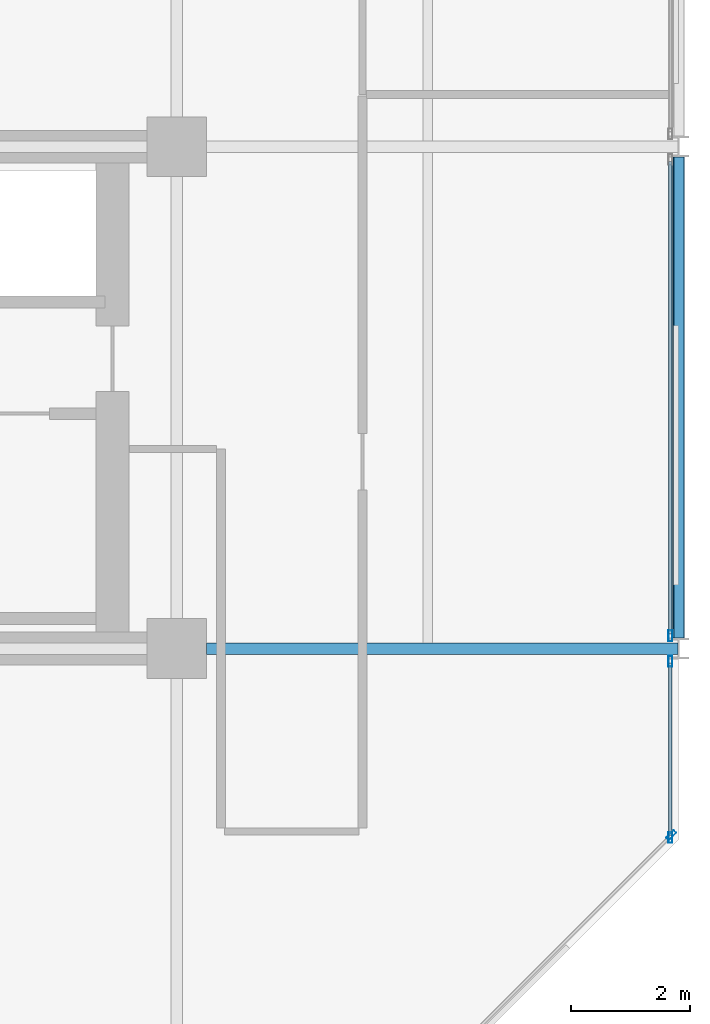
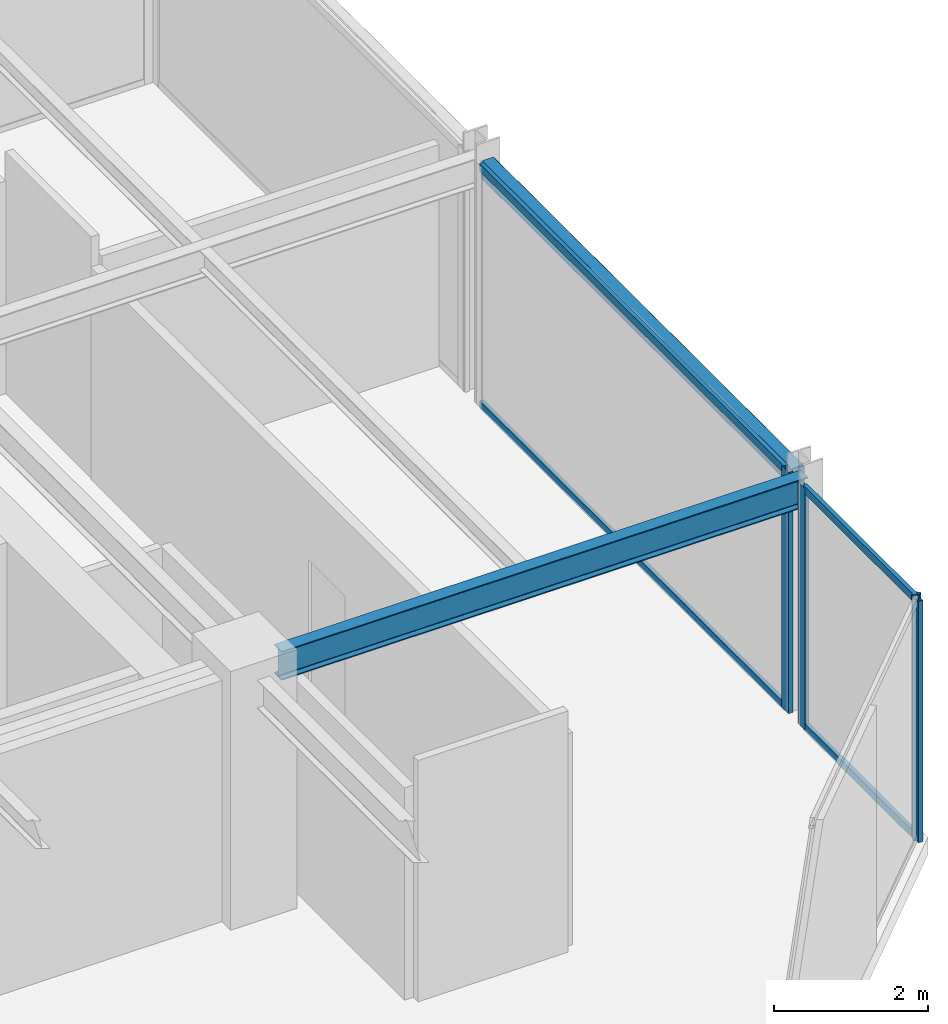
# One storey, part 13 of 29: 8 members, 2 beams, 3 elements without a shape of their own.
"""IFC4 building model written with IfcOpenShell, lengths in metres."""

import ifcopenshell
import ifcopenshell.guid

model = None  # the IFC model being written
_history = None  # IfcOwnerHistory: only IFC2X3 demands one
_inside = {}  # id of a spatial element -> (the spatial element, [elements in it])
_under = {}  # id of a project, library or spatial element -> (it, [spatial elements below it])
_declared = {}  # id of a project -> (the project, [libraries it declares])
_typed = {}  # id of a type object -> (the type object, [elements of that type])
_made_of = {}  # id of a material, layer set ... -> (it, [elements and type objects made of it])


def new_model(schema):
    """Start an empty IFC model of exactly this schema.

    Asked for "IFC4X3", IfcOpenShell would pick the latest addendum, in which some entities
    have other attributes; the version numbers below select the first issue.
    IFC2X3 requires an IfcOwnerHistory on every rooted entity: one is made here for all.
    """
    global model, _history
    if schema == "IFC4X3":
        model = ifcopenshell.file(schema_version=(4, 3, 0, 0))
    else:
        model = ifcopenshell.file(schema=schema)
    _inside.clear()
    _under.clear()
    _declared.clear()
    _typed.clear()
    _made_of.clear()
    _history = None
    if model.schema == "IFC2X3":
        org = make("IfcOrganization", Name="unknown")
        user = make(
            "IfcPersonAndOrganization",
            ThePerson=make("IfcPerson", FamilyName="unknown"),
            TheOrganization=org,
        )
        app = make(
            "IfcApplication",
            ApplicationDeveloper=org,
            Version="unknown",
            ApplicationFullName="unknown",
            ApplicationIdentifier="unknown",
        )
        _history = make(
            "IfcOwnerHistory",
            OwningUser=user,
            OwningApplication=app,
            ChangeAction="ADDED",
            CreationDate=0,
        )
    return model


def make(cls, **values):
    """One entity of the class cls with the attributes given. An attribute that is None is left unset."""
    return model.create_entity(
        cls, **{name: value for name, value in values.items() if value is not None}
    )


def rooted(cls, **values):
    """An entity with a GlobalId (a new one), such as an element, a storey or a relation."""
    return make(cls, GlobalId=ifcopenshell.guid.new(), OwnerHistory=_history, **values)


def si_unit(unit_type, name, prefix=None):
    """IfcSIUnit, for example si_unit("LENGTHUNIT", "METRE", prefix="MILLI")."""
    return make("IfcSIUnit", UnitType=unit_type, Prefix=prefix, Name=name)


def assignment(units):
    """IfcUnitAssignment: the units of a project."""
    return None if units is None else make("IfcUnitAssignment", Units=units)


def point(xyz):
    """IfcCartesianPoint."""
    return None if xyz is None else make("IfcCartesianPoint", Coordinates=xyz)


def direction(xyz):
    """IfcDirection."""
    return None if xyz is None else make("IfcDirection", DirectionRatios=xyz)


def frame(location, z_axis=None, x_axis=None):
    """IfcAxis2Placement3D, a coordinate frame: its origin and axes. An axis left out is left unset."""
    return make(
        "IfcAxis2Placement3D",
        Location=point(location),
        Axis=direction(z_axis),
        RefDirection=direction(x_axis),
    )


def frame_2d(location, x_axis=None):
    """IfcAxis2Placement2D, a coordinate frame in the plane: its origin and x axis."""
    return make(
        "IfcAxis2Placement2D", Location=point(location), RefDirection=direction(x_axis)
    )


def origin():
    """The frame at (0, 0, 0) with its axes left unset."""
    return frame((0.0, 0.0, 0.0))


def origin_2d():
    """The frame at (0, 0) in the plane with its x axis left unset."""
    return frame_2d((0.0, 0.0))


def place(relative_to, where):
    """IfcLocalPlacement: puts the frame where relative to a parent placement (None: the world)."""
    return make(
        "IfcLocalPlacement", PlacementRelTo=relative_to, RelativePlacement=where
    )


def context(
    kind, dimensions, precision=None, world=None, true_north=None, identifier=None
):
    """IfcGeometricRepresentationContext, for example the 3D "Model" context."""
    return make(
        "IfcGeometricRepresentationContext",
        ContextIdentifier=identifier,
        ContextType=kind,
        CoordinateSpaceDimension=dimensions,
        Precision=precision,
        WorldCoordinateSystem=world,
        TrueNorth=true_north,
    )


def subcontext(parent, identifier, kind, view, scale=None):
    """IfcGeometricRepresentationSubContext, for example "Body" below "Model"."""
    return make(
        "IfcGeometricRepresentationSubContext",
        ContextIdentifier=identifier,
        ContextType=kind,
        ParentContext=parent,
        TargetScale=scale,
        TargetView=view,
    )


def project(units=None, contexts=None):
    """IfcProject with its units and contexts."""
    return rooted(
        "IfcProject",
        Name="project",
        RepresentationContexts=contexts,
        UnitsInContext=assignment(units),
    )


def spatial(cls, under=None, at=None, **own):
    """A site, building, storey or space (cls), placed at a placement, below another one or the project."""
    s = rooted(cls, ObjectPlacement=at, **own)
    if under is not None:
        _under.setdefault(under.id(), (under, []))[1].append(s)
    return s


def profile(cls, at=None, kind="AREA", **sizes):
    """A parametric profile (cls). Its sizes go by their IFC names, for example OverallWidth=200.0."""
    return make(cls, ProfileType=kind, Position=at, **sizes)


def hollow_rectangle(**sizes):
    """IfcRectangleHollowProfileDef."""
    return profile("IfcRectangleHollowProfileDef", **sizes)


def i_section(**sizes):
    """IfcIShapeProfileDef."""
    return profile("IfcIShapeProfileDef", **sizes)


def extrude(swept, where, along, depth):
    """IfcExtrudedAreaSolid: the profile swept, set in the frame where, extruded along a direction by depth."""
    return make(
        "IfcExtrudedAreaSolid",
        SweptArea=swept,
        Position=where,
        ExtrudedDirection=direction(along),
        Depth=depth,
    )


def shape(context_of_items, identifier, shape_type, items):
    """IfcShapeRepresentation: the items that make up one representation, for example the "Body"."""
    return make(
        "IfcShapeRepresentation",
        ContextOfItems=context_of_items,
        RepresentationIdentifier=identifier,
        RepresentationType=shape_type,
        Items=items,
    )


def material(Name=None, Category=None):
    """IfcMaterial."""
    return make("IfcMaterial", Name=Name, Category=Category)


def layer(
    of_material, thickness, ventilated=None, Name=None, Category=None, Priority=None
):
    """IfcMaterialLayer: one layer of a wall or slab, of a material (None: an air gap)."""
    return make(
        "IfcMaterialLayer",
        Material=of_material,
        LayerThickness=thickness,
        IsVentilated=ventilated,
        Name=Name,
        Category=Category,
        Priority=Priority,
    )


def layer_set(layers, Name=None):
    """IfcMaterialLayerSet."""
    return make("IfcMaterialLayerSet", MaterialLayers=layers, LayerSetName=Name)


def material_profile(
    of_material, cross_section, Name=None, Category=None, Priority=None
):
    """IfcMaterialProfile: a cross section and its material."""
    return make(
        "IfcMaterialProfile",
        Name=Name,
        Material=of_material,
        Profile=cross_section,
        Priority=Priority,
        Category=Category,
    )


def profile_set(profiles, Name=None, composite=None):
    """IfcMaterialProfileSet."""
    return make(
        "IfcMaterialProfileSet",
        Name=Name,
        MaterialProfiles=profiles,
        CompositeProfile=composite,
    )


def made_of(thing, what):
    """Note that an element or type object is made of a material, layer set ...; save() writes the relation."""
    if what is not None:
        _made_of.setdefault(what.id(), (what, []))[1].append(thing)
    return thing


def type_object(cls, material=None, **own):
    """A type object (cls), such as IfcWallType, which elements share."""
    return made_of(rooted(cls, **own), material)


def element(
    cls,
    number,
    at=None,
    inside=None,
    cuts=None,
    type_object=None,
    material=None,
    context=None,
    identifier="Body",
    shape_type=None,
    held_by="IfcProductDefinitionShape",
    body=None,
    shapes=None,
    **own,
):
    """One element of the class cls, such as IfcWall. Its Tag is "e" and its number.

    at: its placement. inside: the storey or other place that contains it. cuts: it is an
    opening in that element (IfcRelVoidsElement). A single representation is given by context,
    identifier, shape_type and body (its items); several are given by shapes. held_by: the class
    of the entity that holds the representations. save() writes the other relations.
    """
    e = rooted(cls, Tag="e%d" % number, ObjectPlacement=at, **own)
    if body is not None:
        shapes = [shape(context, identifier, shape_type, body)]
    if shapes is not None:
        e.Representation = make(held_by, Representations=shapes)
    if inside is not None:
        _inside.setdefault(inside.id(), (inside, []))[1].append(e)
    if cuts is not None:
        rooted(
            "IfcRelVoidsElement", RelatingBuildingElement=cuts, RelatedOpeningElement=e
        )
    if type_object is not None:
        _typed.setdefault(type_object.id(), (type_object, []))[1].append(e)
    return made_of(e, material)


def aggregate(whole, parts):
    """IfcRelAggregates: a whole, such as a stair, and the parts it consists of."""
    return rooted("IfcRelAggregates", RelatingObject=whole, RelatedObjects=parts)


def save(model, path):
    """Write the relations noted so far, then the file.

    IfcRelAggregates (storeys below a building ...), IfcRelContainedInSpatialStructure (elements
    in a storey), IfcRelDefinesByType, IfcRelAssociatesMaterial and IfcRelDeclares: one each for
    every whole, place, type object, material and project.
    """
    for whole, parts in _under.values():
        aggregate(whole, parts)
    for where, things in _inside.values():
        rooted(
            "IfcRelContainedInSpatialStructure",
            RelatedElements=things,
            RelatingStructure=where,
        )
    for kind, things in _typed.values():
        rooted("IfcRelDefinesByType", RelatedObjects=things, RelatingType=kind)
    for what, things in _made_of.values():
        rooted("IfcRelAssociatesMaterial", RelatedObjects=things, RelatingMaterial=what)
    for by, libraries in _declared.values():
        rooted("IfcRelDeclares", RelatingContext=by, RelatedDefinitions=libraries)
    model.write(path)


model = new_model("IFC4")

# Units and contexts
model_context = context("Model", 3, precision=1e-05, world=origin(), true_north=direction((0.0, 1.0)))
body_context = subcontext(model_context, "Body", "Model", "MODEL_VIEW")
ifc_project = project(units=[si_unit("LENGTHUNIT", "METRE"), si_unit("AREAUNIT", "SQUARE_METRE"), si_unit("VOLUMEUNIT", "CUBIC_METRE"), si_unit("PLANEANGLEUNIT", "RADIAN"), si_unit("MASSUNIT", "GRAM", prefix="KILO")], contexts=[model_context])

# Site, building, storey
site_placement = place(None, origin())
site = spatial("IfcSite", under=ifc_project, at=site_placement, CompositionType="ELEMENT")
building_placement = place(site_placement, origin())
building = spatial("IfcBuilding", under=site, at=building_placement, Name="Nerrivon Quay Data Exchange", CompositionType="ELEMENT")
storey_placement = place(building_placement, frame((0.0, 0.0, 196.0)))
storey = spatial("IfcBuildingStorey", under=building, at=storey_placement, Name="L46", CompositionType="ELEMENT", Elevation=196.0)

# Beams
ifc_material_1 = material(Name="Steel Grade 350", Category="steel")
ifc_material_profile_1 = material_profile(ifc_material_1, i_section(OverallWidth=0.19091796875, OverallDepth=0.4599609375, WebThickness=0.010009765625, FlangeThickness=0.01611328125, FilletRadius=0.011474609375, at=origin_2d()), Name="460UB82.1")
ifc_profile_set_1 = profile_set([ifc_material_profile_1], Name="Steel Grade 350")
beam_type_1 = type_object("IfcBeamType", Name="BM-G5-460UB82", PredefinedType="BEAM", material=ifc_profile_set_1)
beam_1_placement = place(storey_placement, frame((34.10009765625, 8.39990234375, 3.594970703125), z_axis=(1.0, 0.0, 0.0), x_axis=(0.0, 1.0, 0.0)))
element("IfcBeam", 1, at=beam_1_placement, inside=storey, type_object=beam_type_1, Name="L46 EW Girder Y=8.4 (33.6..42.0)", PredefinedType="BEAM", context=body_context, shape_type="SweptSolid", body=[
    extrude(i_section(OverallWidth=0.19091796875, OverallDepth=0.4599609375, WebThickness=0.010009765625, FlangeThickness=0.01611328125, FilletRadius=0.011474609375, at=origin_2d()), origin(), (0.0, 0.0, 1.0), 7.889892578125),
])
ifc_material_2 = material(Name="Steel Grade C350L0 (350 MPa)", Category="steel")
ifc_material_profile_2 = material_profile(ifc_material_2, hollow_rectangle(XDim=0.199951171875, YDim=0.300048828125, WallThickness=0.012451171875, InnerFilletRadius=0.018798828125, OuterFilletRadius=0.03125, at=origin_2d()), Name="300x200x12.5RHS")
ifc_profile_set_2 = profile_set([ifc_material_profile_2], Name="Steel Grade C350L0 (350 MPa)")
beam_type_2 = type_object("IfcBeamType", Name="BM-SP3-300x200RHS", PredefinedType="SPANDREL", material=ifc_profile_set_2)
beam_2_placement = place(storey_placement, frame((42.0, 8.574951171875, 3.675048828125), z_axis=(0.0, 1.0, 0.0), x_axis=(-1.0, 0.0, 0.0)))
element("IfcBeam", 2, at=beam_2_placement, inside=storey, type_object=beam_type_2, Name="L46 NS Girder X=42.0 (8.4..16.8)", PredefinedType="SPANDREL", context=body_context, shape_type="SweptSolid", body=[
    extrude(hollow_rectangle(XDim=0.199951171875, YDim=0.300048828125, WallThickness=0.012451171875, InnerFilletRadius=0.018798828125, OuterFilletRadius=0.03125, at=origin_2d()), origin(), (0.0, 0.0, 1.0), 8.050048828125),
])

# Curtain wall, member
ifc_material_3 = material(Name="Anodised aluminium 6063-T6", Category="aluminium")
ifc_layer = layer(ifc_material_3, 0.195068359375)
ifc_layer_set = layer_set([ifc_layer], Name="Anodised aluminium 6063-T6")
curtain_wall_type = type_object("IfcCurtainWallType", Name="CW-SYS-06", PredefinedType="NOTDEFINED", material=ifc_layer_set)
curtain_wall_1_placement = place(storey_placement, origin())
curtain_wall_1 = element("IfcCurtainWall", 3, at=curtain_wall_1_placement, inside=storey, type_object=curtain_wall_type, Name="L46 Unitised Curtain Wall 19", PredefinedType="NOTDEFINED")
ifc_material_profile_3 = material_profile(ifc_material_3, hollow_rectangle(XDim=0.06494140625, YDim=0.179931640625, WallThickness=0.00341796875, at=origin_2d()), Name="ALU-MULL-180x65")
ifc_profile_set_3 = profile_set([ifc_material_profile_3], Name="Anodised aluminium 6063-T6")
member_type_1 = type_object("IfcMemberType", Name="CWM-180x65", PredefinedType="MULLION", material=ifc_profile_set_3)
member_1_placement = place(storey_placement, frame((41.860107421875, 8.612548828125, 0.0), z_axis=(0.0, 0.0, 1.0), x_axis=(1.0, 0.0, 0.0)))
member_1 = element("IfcMember", 4, at=member_1_placement, type_object=member_type_1, Name="CW06 mullion 2", PredefinedType="MULLION", context=body_context, shape_type="SweptSolid", body=[
    extrude(hollow_rectangle(XDim=0.06494140625, YDim=0.179931640625, WallThickness=0.00341796875, at=origin_2d()), origin(), (0.0, 0.0, 1.0), 3.824951171875),
])

# Curtain wall, members
curtain_wall_2_placement = place(storey_placement, origin())
curtain_wall_2 = element("IfcCurtainWall", 5, at=curtain_wall_2_placement, inside=storey, type_object=curtain_wall_type, Name="L46 Unitised Curtain Wall 20", PredefinedType="NOTDEFINED")
member_2_placement = place(storey_placement, frame((41.860107421875, 8.1875, 0.0), z_axis=(0.0, 0.0, 1.0), x_axis=(1.0, 0.0, 0.0)))
member_2 = element("IfcMember", 6, at=member_2_placement, type_object=member_type_1, Name="CW06 mullion 1", PredefinedType="MULLION", context=body_context, shape_type="SweptSolid", body=[
    extrude(hollow_rectangle(XDim=0.06494140625, YDim=0.179931640625, WallThickness=0.00341796875, at=origin_2d()), origin(), (0.0, 0.0, 1.0), 3.824951171875),
])
member_3_placement = place(storey_placement, frame((41.860107421875, 5.237548828125, 0.0), z_axis=(0.0, 0.0, 1.0), x_axis=(1.0, 0.0, 0.0)))
member_3 = element("IfcMember", 7, at=member_3_placement, type_object=member_type_1, Name="CW06 mullion 2", PredefinedType="MULLION", context=body_context, shape_type="SweptSolid", body=[
    extrude(hollow_rectangle(XDim=0.06494140625, YDim=0.179931640625, WallThickness=0.00341796875, at=origin_2d()), origin(), (0.0, 0.0, 1.0), 3.824951171875),
])

# Curtain wall, member
curtain_wall_3_placement = place(storey_placement, origin())
curtain_wall_3 = element("IfcCurtainWall", 8, at=curtain_wall_3_placement, inside=storey, type_object=curtain_wall_type, Name="L46 Unitised Curtain Wall 21", PredefinedType="NOTDEFINED")
member_4_placement = place(storey_placement, frame((41.87451171875, 5.2724609375, 0.0), z_axis=(0.0, 0.0, 1.0), x_axis=(0.707106781187, -0.707106781187, 0.0)))
member_4 = element("IfcMember", 9, at=member_4_placement, type_object=member_type_1, Name="CW06 mullion 1", PredefinedType="MULLION", context=body_context, shape_type="SweptSolid", body=[
    extrude(hollow_rectangle(XDim=0.06494140625, YDim=0.179931640625, WallThickness=0.00341796875, at=origin_2d()), origin(), (0.0, 0.0, 1.0), 3.824951171875),
])
aggregate(curtain_wall_3, [member_4])

# Member
ifc_material_profile_4 = material_profile(ifc_material_3, hollow_rectangle(XDim=0.06005859375, YDim=0.1201171875, WallThickness=0.003173828125, at=origin_2d()), Name="ALU-TRAN-120x60")
ifc_profile_set_4 = profile_set([ifc_material_profile_4], Name="Anodised aluminium 6063-T6")
member_type_2 = type_object("IfcMemberType", Name="CWT-120x60", PredefinedType="USERDEFINED", material=ifc_profile_set_4)
member_5_placement = place(storey_placement, frame((41.860107421875, 16.550048828125, 0.032470703125), z_axis=(0.0, -1.0, 0.0), x_axis=(1.0, 0.0, 0.0)))
member_5 = element("IfcMember", 10, at=member_5_placement, type_object=member_type_2, Name="CW06 transom 1.1", ObjectType="TRANSOM", PredefinedType="USERDEFINED", context=body_context, shape_type="SweptSolid", body=[
    extrude(hollow_rectangle(XDim=0.06005859375, YDim=0.1201171875, WallThickness=0.003173828125, at=origin_2d()), origin(), (0.0, 0.0, 1.0), 7.900146484375),
])

member_6_placement = place(storey_placement, frame((41.860107421875, 16.550048828125, 3.79248046875), z_axis=(0.0, -1.0, 0.0), x_axis=(1.0, 0.0, 0.0)))
member_6 = element("IfcMember", 11, at=member_6_placement, type_object=member_type_2, Name="CW06 transom 1.2", ObjectType="TRANSOM", PredefinedType="USERDEFINED", context=body_context, shape_type="SweptSolid", body=[
    extrude(hollow_rectangle(XDim=0.06005859375, YDim=0.1201171875, WallThickness=0.003173828125, at=origin_2d()), origin(), (0.0, 0.0, 1.0), 7.900146484375),
])

aggregate(curtain_wall_1, [member_1, member_5, member_6])

member_7_placement = place(storey_placement, frame((41.860107421875, 8.14990234375, 0.032470703125), z_axis=(0.0, -1.0, 0.0), x_axis=(1.0, 0.0, 0.0)))
member_7 = element("IfcMember", 12, at=member_7_placement, type_object=member_type_2, Name="CW06 transom 1.1", ObjectType="TRANSOM", PredefinedType="USERDEFINED", context=body_context, shape_type="SweptSolid", body=[
    extrude(hollow_rectangle(XDim=0.06005859375, YDim=0.1201171875, WallThickness=0.003173828125, at=origin_2d()), origin(), (0.0, 0.0, 1.0), 2.875),
])

member_8_placement = place(storey_placement, frame((41.860107421875, 8.14990234375, 3.79248046875), z_axis=(0.0, -1.0, 0.0), x_axis=(1.0, 0.0, 0.0)))
member_8 = element("IfcMember", 13, at=member_8_placement, type_object=member_type_2, Name="CW06 transom 1.2", ObjectType="TRANSOM", PredefinedType="USERDEFINED", context=body_context, shape_type="SweptSolid", body=[
    extrude(hollow_rectangle(XDim=0.06005859375, YDim=0.1201171875, WallThickness=0.003173828125, at=origin_2d()), origin(), (0.0, 0.0, 1.0), 2.875),
])

aggregate(curtain_wall_2, [member_2, member_3, member_7, member_8])

save(model, "model.ifc")
